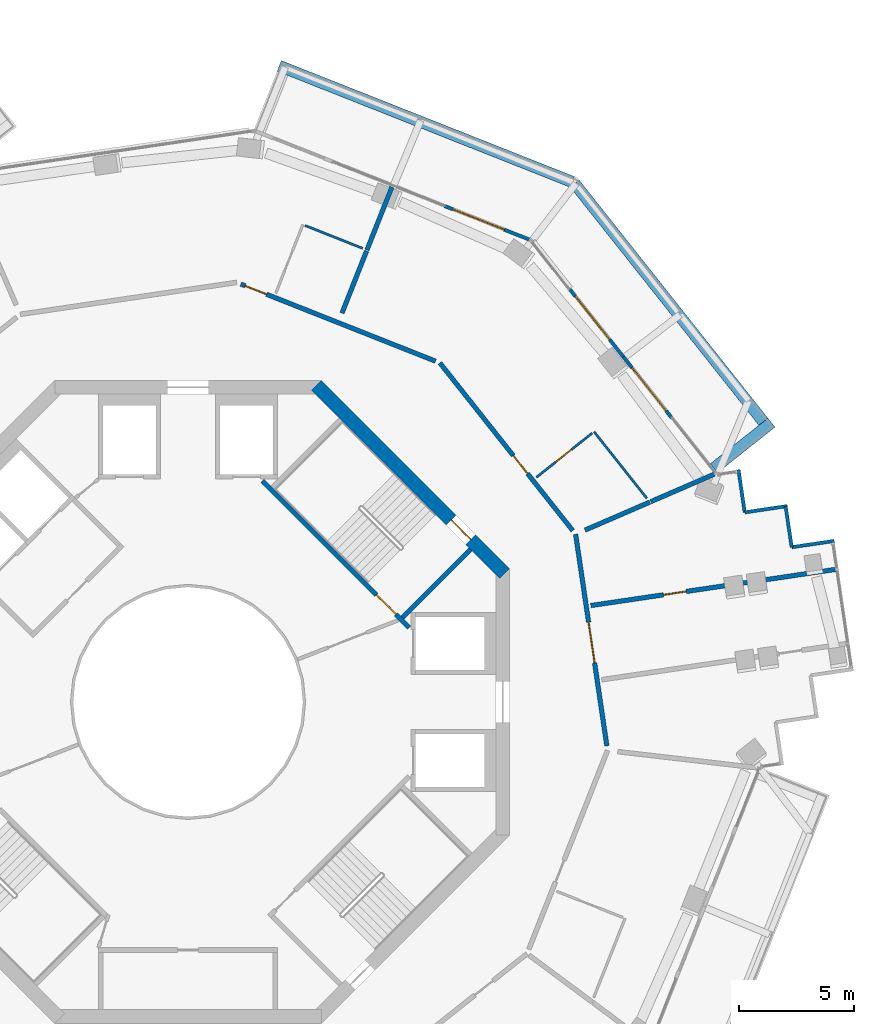
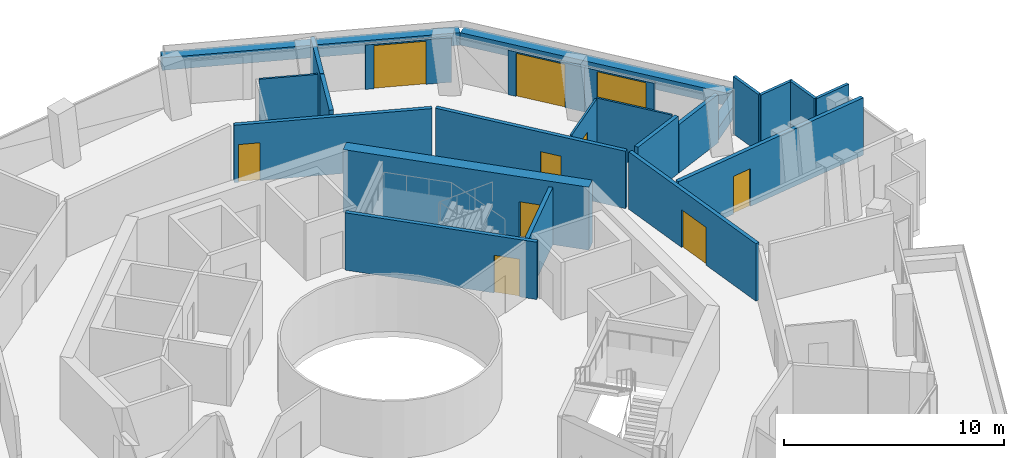
# One storey, part 18 of 21: 24 walls, 10 doors, 10 openings.
"""IFC4 building model written with IfcOpenShell, lengths in metres."""

from ifc_helpers import new_model, si_unit, direction, frame, frame_2d, origin, place, context, subcontext, project, spatial, rectangle, extrude, material, layer, layer_set, type_object, element, fill, save


model = new_model("IFC4")

# Units and contexts
model_context = context("Model", 3, precision=1e-05, world=origin(), true_north=direction((0.0, 1.0)))
body_context = subcontext(model_context, "Body", "Model", "MODEL_VIEW")
ifc_project = project(units=[si_unit("LENGTHUNIT", "METRE"), si_unit("AREAUNIT", "SQUARE_METRE"), si_unit("VOLUMEUNIT", "CUBIC_METRE"), si_unit("PLANEANGLEUNIT", "RADIAN"), si_unit("MASSUNIT", "GRAM", prefix="KILO")], contexts=[model_context])

# Site, building, storey
site_placement = place(None, origin())
site = spatial("IfcSite", under=ifc_project, at=site_placement, CompositionType="ELEMENT")
building_placement = place(site_placement, origin())
building = spatial("IfcBuilding", under=site, at=building_placement, Name="Verdalira Terraces Hotel", CompositionType="ELEMENT")
storey_placement = place(building_placement, frame((0.0, 0.0, 190.5)))
storey = spatial("IfcBuildingStorey", under=building, at=storey_placement, Name="L46", CompositionType="ELEMENT", Elevation=190.5)

# Walls
ifc_material_1 = material(Name="Concrete C40", Category="concrete")
ifc_layer_1 = layer(ifc_material_1, 0.5)
ifc_layer_set_1 = layer_set([ifc_layer_1], Name="Balcony planter trough with tree")
wall_type_1 = type_object("IfcWallType", Name="Balcony planter trough with tree", PredefinedType="SOLIDWALL", material=ifc_layer_set_1)
wall_1_placement = place(storey_placement, frame((22.894043, 10.170654, 0.0), z_axis=(0.0, 0.0, 1.0), x_axis=(0.783697511, 0.621142666, 0.0)))
element("IfcWall", 1, at=wall_1_placement, inside=storey, type_object=wall_type_1, Name="Balcony planter", PredefinedType="SOLIDWALL", context=body_context, shape_type="SweptSolid", body=[
    extrude(rectangle(XDim=3.198975, YDim=0.5, at=frame_2d((1.599609, 0.0))), origin(), (0.0, 0.0, 1.0), 0.699951),
])
wall_2_placement = place(storey_placement, frame((25.049805, 12.198242, 0.0), z_axis=(0.0, 0.0, 1.0), x_axis=(-0.6211469, 0.783694155, 0.0)))
element("IfcWall", 2, at=wall_2_placement, inside=storey, type_object=wall_type_1, Name="Balcony planter", PredefinedType="SOLIDWALL", context=body_context, shape_type="SweptSolid", body=[
    extrude(rectangle(XDim=13.223389, YDim=0.5, at=frame_2d((6.611816, 0.0))), origin(), (0.0, 0.0, 1.0), 0.699951),
])
wall_3_placement = place(storey_placement, frame((16.732178, 22.638428, 0.0), z_axis=(0.0, 0.0, 1.0), x_axis=(-0.929775155, 0.368127914, 0.0)))
element("IfcWall", 3, at=wall_3_placement, inside=storey, type_object=wall_type_1, Name="Balcony planter", PredefinedType="SOLIDWALL", context=body_context, shape_type="SweptSolid", body=[
    extrude(rectangle(XDim=13.723389, YDim=0.5, at=frame_2d((6.861816, 0.0))), origin(), (0.0, 0.0, 1.0), 0.699951),
])
ifc_material_2 = material(Name="Moisture-resistant gypsum board partition")
ifc_layer_2 = layer(ifc_material_2, 0.10009765625)
ifc_layer_set_2 = layer_set([ifc_layer_2], Name="Bathroom partition 100 mm")
wall_type_2 = type_object("IfcWallType", Name="Bathroom partition 100 mm", PredefinedType="PARTITIONING", material=ifc_layer_set_2)
wall_4_placement = place(storey_placement, frame((5.092529, 20.73999, 0.0), z_axis=(0.0, 0.0, 1.0), x_axis=(0.929774375, -0.368129885, 0.0)))
element("IfcWall", 4, at=wall_4_placement, inside=storey, type_object=wall_type_2, Name="Bathroom partition", PredefinedType="PARTITIONING", context=body_context, shape_type="SweptSolid", body=[
    extrude(rectangle(XDim=2.699951, YDim=0.100098, at=frame_2d((1.350098, 0.0))), origin(), (0.0, 0.0, 1.0), 3.189941),
])

# Wall, opening, door
wall_5_placement = place(storey_placement, frame((17.595459, 11.702393, 0.0), z_axis=(0.0, 0.0, 1.0), x_axis=(-0.783695965, -0.621144616, 0.0)))
wall_5 = element("IfcWall", 5, at=wall_5_placement, inside=storey, type_object=wall_type_2, Name="Bathroom partition", PredefinedType="PARTITIONING", context=body_context, shape_type="SweptSolid", body=[
    extrude(rectangle(XDim=3.100098, YDim=0.100098, at=frame_2d((1.550049, 0.0))), origin(), (0.0, 0.0, 1.0), 3.189941),
])
opening_1_placement = place(wall_5_placement, frame((1.149902, 0.0, 0.0)))
opening_1 = element("IfcOpeningElement", 6, at=opening_1_placement, cuts=wall_5, Name="Opening L46-122", PredefinedType="OPENING", context=body_context, shape_type="SweptSolid", body=[
    extrude(rectangle(XDim=0.899902, YDim=2.100098, at=frame_2d((0.449951, 1.050049))), frame((0.0, 0.060059, 0.0), z_axis=(0.0, -1.0, 0.0), x_axis=(1.0, 0.0, 0.0)), (0.0, 0.0, 1.0), 0.120117),
])
ifc_material_3 = material(Name="Timber door", Category="wood")
door_type_1 = type_object("IfcDoorType", Name="Bathroom door 900 x 2100", OperationType="NOTDEFINED", PredefinedType="DOOR", material=ifc_material_3)
door_1_placement = place(opening_1_placement, origin())
door_1 = element("IfcDoor", 7, at=door_1_placement, inside=storey, type_object=door_type_1, Name="Bathroom door 4609", OperationType="SINGLE_SWING_LEFT", OverallHeight=2.10009765625, OverallWidth=0.89990234375, PredefinedType="DOOR", context=body_context, shape_type="SweptSolid", body=[
    extrude(rectangle(XDim=0.899902, YDim=2.100098, at=frame_2d((0.449951, 1.050049))), frame((0.0, 0.024902, 0.0), z_axis=(0.0, -1.0, 0.0), x_axis=(1.0, 0.0, 0.0)), (0.0, 0.0, 1.0), 0.050049),
])
fill(opening_1, door_1)

# Wall
wall_6_placement = place(storey_placement, frame((17.673828, 11.764404, 0.0), z_axis=(0.0, 0.0, 1.0), x_axis=(0.621184001, -0.783664748, 0.0)))
element("IfcWall", 8, at=wall_6_placement, inside=storey, type_object=wall_type_2, Name="Bathroom partition", PredefinedType="PARTITIONING", context=body_context, shape_type="SweptSolid", body=[
    extrude(rectangle(XDim=3.703857, YDim=0.100098, at=frame_2d((1.852051, 0.0))), origin(), (0.0, 0.0, 1.0), 3.189941),
])

# Wall, opening, door
ifc_material_4 = material(Name="Concrete C50", Category="concrete")
ifc_layer_3 = layer(ifc_material_4, 0.199951171875)
ifc_layer_set_3 = layer_set([ifc_layer_3], Name="Core RC wall 200 C50")
wall_type_3 = type_object("IfcWallType", Name="Core RC wall 200 C50", PredefinedType="SOLIDWALL", material=ifc_layer_set_3)
wall_7_placement = place(storey_placement, frame((3.23999, 9.629395, 0.0), z_axis=(0.0, 0.0, 1.0), x_axis=(0.707106781, -0.707106781, 0.0)))
wall_7 = element("IfcWall", 9, at=wall_7_placement, inside=storey, type_object=wall_type_3, Name="L46 stair ST1 front wall", PredefinedType="SOLIDWALL", context=body_context, shape_type="SweptSolid", body=[
    extrude(rectangle(XDim=9.035889, YDim=0.199951, at=frame_2d((4.518066, 0.0))), origin(), (0.0, 0.0, 1.0), 3.189941),
])
opening_2_placement = place(wall_7_placement, frame((7.017822, 0.0, 0.0)))
opening_2 = element("IfcOpeningElement", 10, at=opening_2_placement, cuts=wall_7, Name="Opening L46-810", PredefinedType="OPENING", context=body_context, shape_type="SweptSolid", body=[
    extrude(rectangle(XDim=1.199951, YDim=2.100098, at=frame_2d((0.600098, 1.050049))), frame((0.0, 0.109863, 0.0), z_axis=(0.0, -1.0, 0.0), x_axis=(1.0, 0.0, 0.0)), (0.0, 0.0, 1.0), 0.219971),
])
ifc_material_5 = material(Name="Steel fire door", Category="steel")
door_type_2 = type_object("IfcDoorType", Name="Stair door 1200 x 2100", OperationType="NOTDEFINED", PredefinedType="DOOR", material=ifc_material_5)
door_2_placement = place(opening_2_placement, origin())
door_2 = element("IfcDoor", 11, at=door_2_placement, inside=storey, type_object=door_type_2, Name="Stair door ST1 L46", OperationType="SINGLE_SWING_RIGHT", OverallHeight=2.10009765625, OverallWidth=1.199951171875, PredefinedType="DOOR", context=body_context, shape_type="SweptSolid", body=[
    extrude(rectangle(XDim=1.199951, YDim=2.100098, at=frame_2d((0.600098, 1.050049))), frame((0.0, 0.024902, 0.0), z_axis=(0.0, -1.0, 0.0), x_axis=(1.0, 0.0, 0.0)), (0.0, 0.0, 1.0), 0.050049),
])
fill(opening_2, door_2)

# Wall
wall_8_placement = place(storey_placement, frame((9.33374, 3.677002, 0.0), z_axis=(0.0, 0.0, 1.0), x_axis=(0.707135845, 0.707077716, 0.0)))
element("IfcWall", 12, at=wall_8_placement, inside=storey, type_object=wall_type_3, Name="L46 stair ST1 end wall 1", PredefinedType="SOLIDWALL", context=body_context, shape_type="SweptSolid", body=[
    extrude(rectangle(XDim=4.199951, YDim=0.199951, at=frame_2d((2.100098, 0.0))), origin(), (0.0, 0.0, 1.0), 3.189941),
])

# Wall, opening, door
ifc_material_6 = material(Name="Concrete C60", Category="concrete")
ifc_layer_4 = layer(ifc_material_6, 0.60009765625)
ifc_layer_set_4 = layer_set([ifc_layer_4], Name="Core wall 600 C60")
wall_type_4 = type_object("IfcWallType", Name="Core wall 600 C60", PredefinedType="SHEAR", material=ifc_layer_set_4)
wall_9_placement = place(storey_placement, frame((13.787842, 5.586914, 0.0), z_axis=(0.0, 0.0, 1.0), x_axis=(-0.707106781, 0.707106781, 0.0)))
wall_9 = element("IfcWall", 13, at=wall_9_placement, inside=storey, type_object=wall_type_4, Name="Core wall CW-L46-2", PredefinedType="SHEAR", context=body_context, shape_type="SweptSolid", body=[
    extrude(rectangle(XDim=11.5979, YDim=0.600098, at=frame_2d((5.798828, 0.0))), origin(), (0.0, 0.0, 1.0), 3.5),
])
opening_3_placement = place(wall_9_placement, frame((2.099121, 0.0, 0.0)))
opening_3 = element("IfcOpeningElement", 14, at=opening_3_placement, cuts=wall_9, Name="Opening L46-816", PredefinedType="OPENING", context=body_context, shape_type="SweptSolid", body=[
    extrude(rectangle(XDim=1.199951, YDim=2.100098, at=frame_2d((0.600098, 1.050049))), frame((0.0, 0.310059, 0.0), z_axis=(0.0, -1.0, 0.0), x_axis=(1.0, 0.0, 0.0)), (0.0, 0.0, 1.0), 0.620117),
])
door_3_placement = place(opening_3_placement, origin())
door_3 = element("IfcDoor", 15, at=door_3_placement, inside=storey, type_object=door_type_2, Name="Stair exit door ST1 L46", OperationType="SINGLE_SWING_LEFT", OverallHeight=2.10009765625, OverallWidth=1.199951171875, PredefinedType="DOOR", context=body_context, shape_type="SweptSolid", body=[
    extrude(rectangle(XDim=1.199951, YDim=2.100098, at=frame_2d((0.600098, 1.050049))), frame((0.0, 0.024902, 0.0), z_axis=(0.0, -1.0, 0.0), x_axis=(1.0, 0.0, 0.0)), (0.0, 0.0, 1.0), 0.050049),
])
fill(opening_3, door_3)

# Walls
ifc_material_7 = material(Name="Fire-rated gypsum board wall")
ifc_layer_5 = layer(ifc_material_7, 0.199951171875)
ifc_layer_set_5 = layer_set([ifc_layer_5], Name="Demising wall 200 mm")
wall_type_5 = type_object("IfcWallType", Name="Demising wall 200 mm", PredefinedType="SOLIDWALL", material=ifc_layer_set_5)
wall_10_placement = place(storey_placement, frame((6.701904, 16.927002, 0.0), z_axis=(0.0, 0.0, 1.0), x_axis=(0.368113541, 0.929780846, 0.0)))
element("IfcWall", 16, at=wall_10_placement, inside=storey, type_object=wall_type_5, Name="Demising wall", PredefinedType="SOLIDWALL", context=body_context, shape_type="SweptSolid", body=[
    extrude(rectangle(XDim=2.905029, YDim=0.199951, at=frame_2d((1.452637, 0.0))), origin(), (0.0, 0.0, 1.0), 3.189941),
])
wall_11_placement = place(storey_placement, frame((7.788086, 19.670654, 0.0), z_axis=(0.0, 0.0, 1.0), x_axis=(0.368194426, 0.929748818, 0.0)))
element("IfcWall", 17, at=wall_11_placement, inside=storey, type_object=wall_type_5, Name="Demising wall", PredefinedType="SOLIDWALL", context=body_context, shape_type="SweptSolid", body=[
    extrude(rectangle(XDim=2.951904, YDim=0.199951, at=frame_2d((1.476074, 0.0))), origin(), (0.0, 0.0, 1.0), 3.189941),
])
wall_12_placement = place(storey_placement, frame((17.283203, 7.479004, 0.0), z_axis=(0.0, 0.0, 1.0), x_axis=(0.917742853, 0.397175095, 0.0)))
element("IfcWall", 18, at=wall_12_placement, inside=storey, type_object=wall_type_5, Name="Demising wall", PredefinedType="SOLIDWALL", context=body_context, shape_type="SweptSolid", body=[
    extrude(rectangle(XDim=3.074707, YDim=0.199951, at=frame_2d((1.537354, 0.0))), origin(), (0.0, 0.0, 1.0), 3.189941),
])

# Wall, opening, door
wall_13_placement = place(storey_placement, frame((17.533691, 4.195312, 0.0), z_axis=(0.0, 0.0, 1.0), x_axis=(0.989273099, 0.146077839, 0.0)))
wall_13 = element("IfcWall", 19, at=wall_13_placement, inside=storey, type_object=wall_type_5, Name="Demising wall", PredefinedType="SOLIDWALL", context=body_context, shape_type="SweptSolid", body=[
    extrude(rectangle(XDim=10.749756, YDim=0.199951, at=frame_2d((5.375, 0.0))), origin(), (0.0, 0.0, 1.0), 3.189941),
])
opening_4_placement = place(wall_13_placement, frame((3.199951, 0.0, 0.0)))
opening_4 = element("IfcOpeningElement", 20, at=opening_4_placement, cuts=wall_13, Name="Opening L46-120", PredefinedType="OPENING", context=body_context, shape_type="SweptSolid", body=[
    extrude(rectangle(XDim=1.0, YDim=2.100098, at=frame_2d((0.5, 1.050049))), frame((0.0, 0.109863, 0.0), z_axis=(0.0, -1.0, 0.0), x_axis=(1.0, 0.0, 0.0)), (0.0, 0.0, 1.0), 0.219971),
])
ifc_material_8 = material(Name="Timber fire door", Category="wood")
door_type_3 = type_object("IfcDoorType", Name="Public room door 1000 x 2100", OperationType="NOTDEFINED", PredefinedType="DOOR", material=ifc_material_8)
door_4_placement = place(opening_4_placement, origin())
door_4 = element("IfcDoor", 21, at=door_4_placement, inside=storey, type_object=door_type_3, Name="Public room door 4608", OperationType="SINGLE_SWING_LEFT", OverallHeight=2.10009765625, OverallWidth=1.0, PredefinedType="DOOR", context=body_context, shape_type="SweptSolid", body=[
    extrude(rectangle(XDim=1.0, YDim=2.100098, at=frame_2d((0.5, 1.050049))), frame((0.0, 0.024902, 0.0), z_axis=(0.0, -1.0, 0.0), x_axis=(1.0, 0.0, 0.0)), (0.0, 0.0, 1.0), 0.050049),
])
fill(opening_4, door_4)

# Wall
ifc_material_9 = material(Name="Fire-rated gypsum board wall")
ifc_layer_6 = layer(ifc_material_9, 0.199951171875)
ifc_layer_set_6 = layer_set([ifc_layer_6], Name="Demising wall 200 mm to beam soffit")
wall_type_6 = type_object("IfcWallType", Name="Demising wall 200 mm to beam soffit", PredefinedType="SOLIDWALL", material=ifc_layer_set_6)
wall_14_placement = place(storey_placement, frame((20.147217, 8.718506, 0.0), z_axis=(0.0, 0.0, 1.0), x_axis=(0.917772397, 0.39710682, 0.0)))
element("IfcWall", 22, at=wall_14_placement, inside=storey, type_object=wall_type_6, Name="Demising wall", PredefinedType="SOLIDWALL", context=body_context, shape_type="SweptSolid", body=[
    extrude(rectangle(XDim=3.01123, YDim=0.199951, at=frame_2d((1.505615, 0.0))), origin(), (0.0, 0.0, 1.0), 2.689941),
])

# Wall, opening, door
ifc_material_10 = material(Name="Fire-rated gypsum board wall")
ifc_layer_7 = layer(ifc_material_10, 0.199951171875)
ifc_layer_set_7 = layer_set([ifc_layer_7], Name="Guest corridor wall 200 mm")
wall_type_7 = type_object("IfcWallType", Name="Guest corridor wall 200 mm", PredefinedType="SOLIDWALL", material=ifc_layer_set_7)
wall_15_placement = place(storey_placement, frame((2.299561, 18.189209, 0.0), z_axis=(0.0, 0.0, 1.0), x_axis=(0.929773193, -0.368132869, 0.0)))
wall_15 = element("IfcWall", 23, at=wall_15_placement, inside=storey, type_object=wall_type_7, Name="Guest corridor wall", PredefinedType="SOLIDWALL", context=body_context, shape_type="SweptSolid", body=[
    extrude(rectangle(XDim=9.115479, YDim=0.199951, at=frame_2d((4.557617, 0.0))), origin(), (0.0, 0.0, 1.0), 3.189941),
])
opening_5_placement = place(wall_15_placement, frame((0.199951, 0.0, 0.0)))
opening_5 = element("IfcOpeningElement", 24, at=opening_5_placement, cuts=wall_15, Name="Opening L46-123", PredefinedType="OPENING", context=body_context, shape_type="SweptSolid", body=[
    extrude(rectangle(XDim=1.0, YDim=2.100098, at=frame_2d((0.5, 1.050049))), frame((0.0, 0.109863, 0.0), z_axis=(0.0, -1.0, 0.0), x_axis=(1.0, 0.0, 0.0)), (0.0, 0.0, 1.0), 0.219971),
])
ifc_material_11 = material(Name="Timber fire door", Category="wood")
door_type_4 = type_object("IfcDoorType", Name="Guest entry door 1000 x 2100", OperationType="NOTDEFINED", PredefinedType="DOOR", material=ifc_material_11)
door_5_placement = place(opening_5_placement, origin())
door_5 = element("IfcDoor", 25, at=door_5_placement, inside=storey, type_object=door_type_4, Name="Guest entry door 4610", OperationType="SINGLE_SWING_LEFT", OverallHeight=2.10009765625, OverallWidth=1.0, PredefinedType="DOOR", context=body_context, shape_type="SweptSolid", body=[
    extrude(rectangle(XDim=1.0, YDim=2.100098, at=frame_2d((0.5, 1.050049))), frame((0.0, 0.024902, 0.0), z_axis=(0.0, -1.0, 0.0), x_axis=(1.0, 0.0, 0.0)), (0.0, 0.0, 1.0), 0.050049),
])
fill(opening_5, door_5)

wall_16_placement = place(storey_placement, frame((10.961914, 14.759277, 0.0), z_axis=(0.0, 0.0, 1.0), x_axis=(0.621141166, -0.7836987, 0.0)))
wall_16 = element("IfcWall", 26, at=wall_16_placement, inside=storey, type_object=wall_type_7, Name="Guest corridor wall", PredefinedType="SOLIDWALL", context=body_context, shape_type="SweptSolid", body=[
    extrude(rectangle(XDim=9.316162, YDim=0.199951, at=frame_2d((4.658203, 0.0))), origin(), (0.0, 0.0, 1.0), 3.189941),
])
opening_6_placement = place(wall_16_placement, frame((5.149902, 0.0, 0.0)))
opening_6 = element("IfcOpeningElement", 27, at=opening_6_placement, cuts=wall_16, Name="Opening L46-121", PredefinedType="OPENING", context=body_context, shape_type="SweptSolid", body=[
    extrude(rectangle(XDim=1.0, YDim=2.100098, at=frame_2d((0.5, 1.050049))), frame((0.0, 0.109863, 0.0), z_axis=(0.0, -1.0, 0.0), x_axis=(1.0, 0.0, 0.0)), (0.0, 0.0, 1.0), 0.219971),
])
door_6_placement = place(opening_6_placement, origin())
door_6 = element("IfcDoor", 28, at=door_6_placement, inside=storey, type_object=door_type_4, Name="Guest entry door 4609", OperationType="SINGLE_SWING_LEFT", OverallHeight=2.10009765625, OverallWidth=1.0, PredefinedType="DOOR", context=body_context, shape_type="SweptSolid", body=[
    extrude(rectangle(XDim=1.0, YDim=2.100098, at=frame_2d((0.5, 1.050049))), frame((0.0, 0.024902, 0.0), z_axis=(0.0, -1.0, 0.0), x_axis=(1.0, 0.0, 0.0)), (0.0, 0.0, 1.0), 0.050049),
])
fill(opening_6, door_6)

wall_17_placement = place(storey_placement, frame((16.872803, 7.301514, 0.0), z_axis=(0.0, 0.0, 1.0), x_axis=(0.146064299, -0.989275099, 0.0)))
wall_17 = element("IfcWall", 29, at=wall_17_placement, inside=storey, type_object=wall_type_7, Name="Guest corridor wall", PredefinedType="SOLIDWALL", context=body_context, shape_type="SweptSolid", body=[
    extrude(rectangle(XDim=9.31665, YDim=0.199951, at=frame_2d((4.658203, 0.0))), origin(), (0.0, 0.0, 1.0), 3.189941),
])
opening_7_placement = place(wall_17_placement, frame((3.869385, 0.0, 0.0)))
opening_7 = element("IfcOpeningElement", 30, at=opening_7_placement, cuts=wall_17, Name="Opening L46-118", PredefinedType="OPENING", context=body_context, shape_type="SweptSolid", body=[
    extrude(rectangle(XDim=1.800049, YDim=2.100098, at=frame_2d((0.899902, 1.050049))), frame((0.0, 0.109863, 0.0), z_axis=(0.0, -1.0, 0.0), x_axis=(1.0, 0.0, 0.0)), (0.0, 0.0, 1.0), 0.219971),
])
ifc_material_12 = material(Name="Timber fire door", Category="wood")
door_type_5 = type_object("IfcDoorType", Name="Public room double door 1800 x 2100", OperationType="NOTDEFINED", PredefinedType="DOOR", material=ifc_material_12)
door_7_placement = place(opening_7_placement, origin())
door_7 = element("IfcDoor", 31, at=door_7_placement, inside=storey, type_object=door_type_5, Name="Public room double door 4608", OperationType="DOUBLE_DOOR_SINGLE_SWING", OverallHeight=2.10009765625, OverallWidth=1.800048828125, PredefinedType="DOOR", context=body_context, shape_type="SweptSolid", body=[
    extrude(rectangle(XDim=1.800049, YDim=2.100098, at=frame_2d((0.899902, 1.050049))), frame((0.0, 0.024902, 0.0), z_axis=(0.0, -1.0, 0.0), x_axis=(1.0, 0.0, 0.0)), (0.0, 0.0, 1.0), 0.050049),
])
fill(opening_7, door_7)

# Walls
ifc_material_13 = material(Name="Terracotta cladding", Category="masonry")
ifc_layer_8 = layer(ifc_material_13, 0.14990234375)
ifc_layer_set_8 = layer_set([ifc_layer_8], Name="Terracotta clad wall 150")
wall_type_8 = type_object("IfcWallType", Name="Terracotta clad wall 150", PredefinedType="SOLIDWALL", material=ifc_layer_set_8)
wall_18_placement = place(storey_placement, frame((28.135986, 7.010498, 0.0), z_axis=(0.0, 0.0, 1.0), x_axis=(-0.989269084, -0.14610503, 0.0)))
element("IfcWall", 32, at=wall_18_placement, inside=storey, type_object=wall_type_8, Name="Terracotta cladding wall", PredefinedType="SOLIDWALL", context=body_context, shape_type="SweptSolid", body=[
    extrude(rectangle(XDim=1.874756, YDim=0.149902, at=frame_2d((0.9375, 0.0))), origin(), (0.0, 0.0, 1.0), 3.189941),
])
wall_19_placement = place(storey_placement, frame((26.28125, 6.736572, 0.0), z_axis=(0.0, 0.0, 1.0), x_axis=(-0.146091452, 0.989271089, 0.0)))
element("IfcWall", 33, at=wall_19_placement, inside=storey, type_object=wall_type_8, Name="Terracotta cladding wall", PredefinedType="SOLIDWALL", context=body_context, shape_type="SweptSolid", body=[
    extrude(rectangle(XDim=1.799805, YDim=0.149902, at=frame_2d((0.899902, 0.0))), origin(), (0.0, 0.0, 1.0), 3.189941),
])
for number, where, z_axis, x_axis, name in (
    (34, (26.092529, 8.528076, 0.0), (0.0, 0.0, 1.0), (-0.989271863, -0.146086211, 0.0), "Terracotta cladding wall"),
    (35, (24.237549, 8.25415, 0.0), (0.0, 0.0, 1.0), (-0.146086211, 0.989271863, 0.0), "Terracotta cladding wall"),
):
    element("IfcWall", number, at=place(storey_placement, frame(where, z_axis=z_axis, x_axis=x_axis)), inside=storey, type_object=wall_type_8, Name=name, PredefinedType="SOLIDWALL", context=body_context, shape_type="SweptSolid", body=[
        extrude(rectangle(XDim=1.875, YDim=0.149902, at=frame_2d((0.9375, 0.0))), origin(), (0.0, 0.0, 1.0), 3.189941),
    ])

# Wall, opening, door
ifc_material_14 = material(Name="Terracotta cladding", Category="masonry")
ifc_layer_9 = layer(ifc_material_14, 0.14990234375)
ifc_layer_set_9 = layer_set([ifc_layer_9], Name="Terracotta door pier 150")
wall_type_9 = type_object("IfcWallType", Name="Terracotta door pier 150", PredefinedType="SOLIDWALL", material=ifc_layer_set_9)
wall_20_placement = place(storey_placement, frame((21.064209, 12.356934, 0.0), z_axis=(0.0, 0.0, 1.0), x_axis=(-0.621133235, 0.783704986, 0.0)))
wall_20 = element("IfcWall", 36, at=wall_20_placement, inside=storey, type_object=wall_type_9, Name="Terracotta door pier", PredefinedType="SOLIDWALL", context=body_context, shape_type="SweptSolid", body=[
    extrude(rectangle(XDim=3.399902, YDim=0.149902, at=frame_2d((1.699951, 0.0))), origin(), (0.0, 0.0, 1.0), 2.475098),
])
opening_8_placement = place(wall_20_placement, frame((0.399902, 0.0, 0.0)))
opening_8 = element("IfcOpeningElement", 37, at=opening_8_placement, cuts=wall_20, Name="Opening L46-B11", PredefinedType="OPENING", context=body_context, shape_type="SweptSolid", body=[
    extrude(rectangle(XDim=2.399902, YDim=2.399902, at=frame_2d((1.199951, 1.199951))), frame((0.0, 0.084961, 0.0), z_axis=(0.0, -1.0, 0.0), x_axis=(1.0, 0.0, 0.0)), (0.0, 0.0, 1.0), 0.169922),
])
ifc_material_15 = material(Name="Clear glass", Category="glass")
door_type_6 = type_object("IfcDoorType", Name="Balcony sliding door 2400x2400", OperationType="NOTDEFINED", PredefinedType="DOOR", material=ifc_material_15)
door_8_placement = place(opening_8_placement, origin())
door_8 = element("IfcDoor", 38, at=door_8_placement, inside=storey, type_object=door_type_6, Name="Balcony sliding door", OperationType="SLIDING_TO_RIGHT", OverallHeight=2.39990234375, OverallWidth=2.39990234375, PredefinedType="DOOR", context=body_context, shape_type="SweptSolid", body=[
    extrude(rectangle(XDim=2.399902, YDim=2.399902, at=frame_2d((1.199951, 1.199951))), frame((0.0, 0.024902, 0.0), z_axis=(0.0, -1.0, 0.0), x_axis=(1.0, 0.0, 0.0)), (0.0, 0.0, 1.0), 0.050049),
])
fill(opening_8, door_8)

wall_21_placement = place(storey_placement, frame((18.952393, 15.021484, 0.0), z_axis=(0.0, 0.0, 1.0), x_axis=(-0.621189962, 0.783660022, 0.0)))
wall_21 = element("IfcWall", 39, at=wall_21_placement, inside=storey, type_object=wall_type_9, Name="Terracotta door pier", PredefinedType="SOLIDWALL", context=body_context, shape_type="SweptSolid", body=[
    extrude(rectangle(XDim=3.76123, YDim=0.149902, at=frame_2d((1.880615, 0.0))), origin(), (0.0, 0.0, 1.0), 2.475098),
])
opening_9_placement = place(wall_21_placement, frame((0.961182, 0.0, 0.0)))
opening_9 = element("IfcOpeningElement", 40, at=opening_9_placement, cuts=wall_21, Name="Opening L46-B12", PredefinedType="OPENING", context=body_context, shape_type="SweptSolid", body=[
    extrude(rectangle(XDim=2.399902, YDim=2.399902, at=frame_2d((1.199951, 1.199951))), frame((0.0, 0.084961, 0.0), z_axis=(0.0, -1.0, 0.0), x_axis=(1.0, 0.0, 0.0)), (0.0, 0.0, 1.0), 0.169922),
])
door_9_placement = place(opening_9_placement, origin())
door_9 = element("IfcDoor", 41, at=door_9_placement, inside=storey, type_object=door_type_6, Name="Balcony sliding door", OperationType="SLIDING_TO_LEFT", OverallHeight=2.39990234375, OverallWidth=2.39990234375, PredefinedType="DOOR", context=body_context, shape_type="SweptSolid", body=[
    extrude(rectangle(XDim=2.399902, YDim=2.399902, at=frame_2d((1.199951, 1.199951))), frame((0.0, 0.024902, 0.0), z_axis=(0.0, -1.0, 0.0), x_axis=(1.0, 0.0, 0.0)), (0.0, 0.0, 1.0), 0.050049),
])
fill(opening_9, door_9)

wall_22_placement = place(storey_placement, frame((14.852783, 20.12915, 0.0), z_axis=(0.0, 0.0, 1.0), x_axis=(-0.929769753, 0.368141558, 0.0)))
wall_22 = element("IfcWall", 42, at=wall_22_placement, inside=storey, type_object=wall_type_9, Name="Terracotta door pier", PredefinedType="SOLIDWALL", context=body_context, shape_type="SweptSolid", body=[
    extrude(rectangle(XDim=3.967041, YDim=0.149902, at=frame_2d((1.983398, 0.0))), origin(), (0.0, 0.0, 1.0), 2.475098),
])
opening_10_placement = place(wall_22_placement, frame((1.167236, 0.0, 0.0)))
opening_10 = element("IfcOpeningElement", 43, at=opening_10_placement, cuts=wall_22, Name="Opening L46-B13", PredefinedType="OPENING", context=body_context, shape_type="SweptSolid", body=[
    extrude(rectangle(XDim=2.399902, YDim=2.399902, at=frame_2d((1.199951, 1.199951))), frame((0.0, 0.084961, 0.0), z_axis=(0.0, -1.0, 0.0), x_axis=(1.0, 0.0, 0.0)), (0.0, 0.0, 1.0), 0.169922),
])
door_10_placement = place(opening_10_placement, origin())
door_10 = element("IfcDoor", 44, at=door_10_placement, inside=storey, type_object=door_type_6, Name="Balcony sliding door", OperationType="SLIDING_TO_LEFT", OverallHeight=2.39990234375, OverallWidth=2.39990234375, PredefinedType="DOOR", context=body_context, shape_type="SweptSolid", body=[
    extrude(rectangle(XDim=2.399902, YDim=2.399902, at=frame_2d((1.199951, 1.199951))), frame((0.0, 0.024902, 0.0), z_axis=(0.0, -1.0, 0.0), x_axis=(1.0, 0.0, 0.0)), (0.0, 0.0, 1.0), 0.050049),
])
fill(opening_10, door_10)

save(model, "model.ifc")
